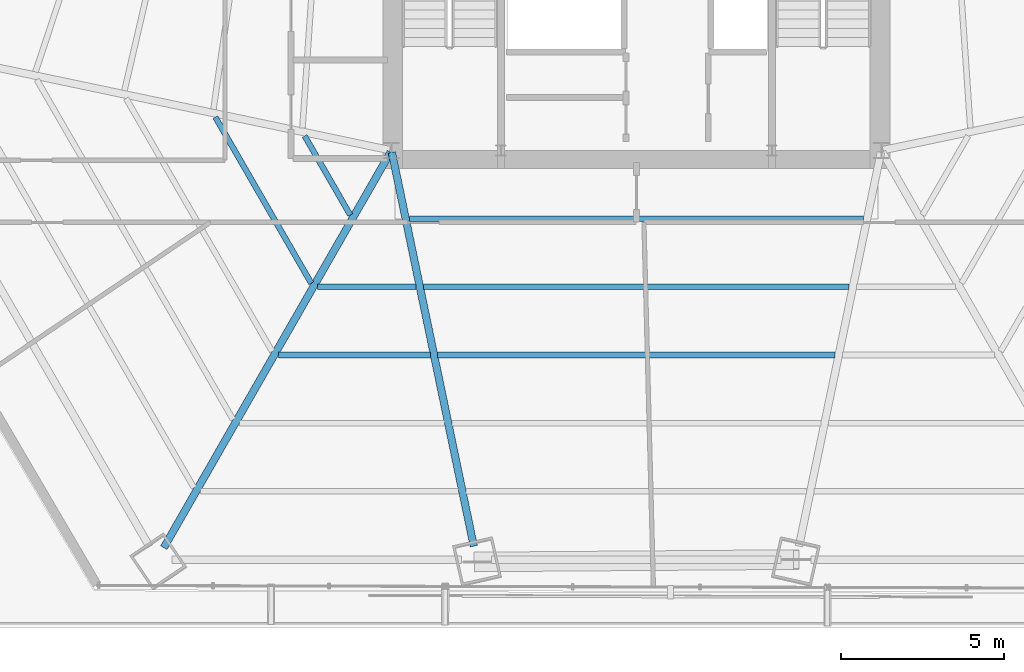
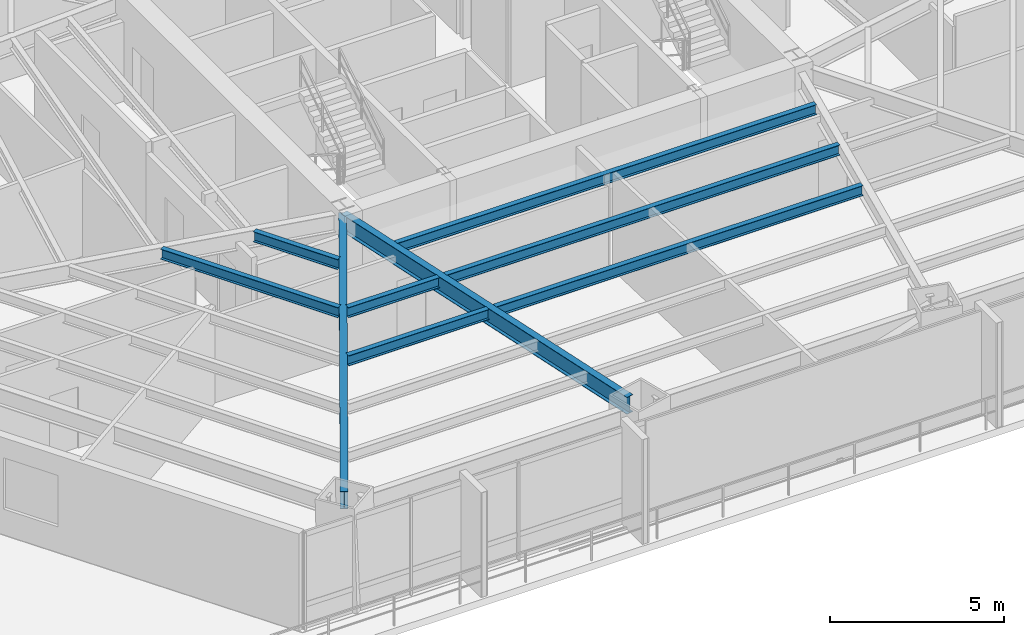
# One storey, part 8 of 35: 9 beams.
"""IFC4 building model written with IfcOpenShell, lengths in metres."""

from ifc_helpers import new_model, si_unit, direction, frame, origin, origin_2d, place, context, subcontext, project, spatial, i_section, extrude, source, transform, mapped, material, material_profile, profile_set, type_object, type_shapes, element, save


model = new_model("IFC4")

# Units and contexts
model_context = context("Model", 3, precision=1e-05, world=origin(), true_north=direction((0.0, 1.0)))
body_context = subcontext(model_context, "Body", "Model", "MODEL_VIEW")
ifc_project = project(units=[si_unit("LENGTHUNIT", "METRE"), si_unit("AREAUNIT", "SQUARE_METRE"), si_unit("VOLUMEUNIT", "CUBIC_METRE"), si_unit("PLANEANGLEUNIT", "RADIAN"), si_unit("MASSUNIT", "GRAM", prefix="KILO")], contexts=[model_context])

# Site, building, storey
site_placement = place(None, origin())
site = spatial("IfcSite", under=ifc_project, at=site_placement, CompositionType="ELEMENT")
building_placement = place(site_placement, origin())
building = spatial("IfcBuilding", under=site, at=building_placement, Name="Caelisora Broadcast Tower", CompositionType="ELEMENT")
storey_placement = place(building_placement, frame((0.0, 0.0, 27.60009765625)))
storey = spatial("IfcBuildingStorey", under=building, at=storey_placement, Name="L06", CompositionType="ELEMENT", Elevation=27.60009765625)

# Beams
ifc_material = material(Name="Steel Grade 350 (AS/NZS 3679.1)", Category="steel")
ifc_material_profile_1 = material_profile(ifc_material, i_section(OverallWidth=0.22802734375, OverallDepth=0.602294921875, WebThickness=0.010498046875, FlangeThickness=0.014892578125, at=origin_2d()), Name="Steel Grade 350 (AS/NZS 3679.1)")
ifc_profile_set_1 = profile_set([ifc_material_profile_1], Name="Steel Grade 350 (AS/NZS 3679.1)")
beam_type_1 = type_object("IfcBeamType", Name="PG04", PredefinedType="BEAM", material=ifc_profile_set_1)
shared_shape_1 = source(origin(), body_context, "Body", "SweptSolid", [
    extrude(i_section(OverallWidth=0.22802734375, OverallDepth=0.602294921875, WebThickness=0.010498046875, FlangeThickness=0.014892578125, at=origin_2d()), origin(), (0.0, 0.0, 1.0), 13.9599609375),
])
beam_1_placement = place(storey_placement, frame((30.47021484375, 17.347900390625, 3.098876953125), z_axis=(-0.497340062779, -0.867555682337, 0.0), x_axis=(0.867555682337, -0.497340062779, 0.0)))
element("IfcBeam", 1, at=beam_1_placement, inside=storey, type_object=beam_type_1, Name="L06 beam PG04", PredefinedType="BEAM", context=body_context, shape_type="MappedRepresentation", body=[
    mapped(shared_shape_1, transform((0.0, 0.0, 0.0), scale=1.0)),
])
shared_shape_2 = source(origin(), body_context, "Body", "SweptSolid", [
    extrude(i_section(OverallWidth=0.22802734375, OverallDepth=0.602294921875, WebThickness=0.010498046875, FlangeThickness=0.014892578125, at=origin_2d()), origin(), (0.0, 0.0, 1.0), 12.31591796875),
])
type_shapes(beam_type_1, [shared_shape_1, shared_shape_2])
beam_2_placement = place(storey_placement, frame((30.51220703125, 17.34130859375, 3.098876953125), z_axis=(0.203681144189, -0.979037277892, 0.0), x_axis=(0.979037277892, 0.203681144189, 0.0)))
element("IfcBeam", 2, at=beam_2_placement, inside=storey, type_object=beam_type_1, Name="L06 beam PG04", PredefinedType="BEAM", context=body_context, shape_type="MappedRepresentation", body=[
    mapped(shared_shape_2, transform((0.0, 0.0, 0.0), scale=1.0)),
])
ifc_material_profile_2 = material_profile(ifc_material, i_section(OverallWidth=0.172119140625, OverallDepth=0.358642578125, WebThickness=0.008056640625, FlangeThickness=0.012939453125, at=origin_2d()), Name="Steel Grade 350 (AS/NZS 3679.1)")
ifc_profile_set_2 = profile_set([ifc_material_profile_2], Name="Steel Grade 350 (AS/NZS 3679.1)")
beam_type_2 = type_object("IfcBeamType", Name="SB02", PredefinedType="JOIST", material=ifc_profile_set_2)
shared_shape_3 = source(origin(), body_context, "Body", "SweptSolid", [
    extrude(i_section(OverallWidth=0.172119140625, OverallDepth=0.358642578125, WebThickness=0.008056640625, FlangeThickness=0.012939453125, at=origin_2d()), origin(), (0.0, 0.0, 1.0), 2.7958984375),
])
beam_3_placement = place(storey_placement, frame((27.8408203125, 17.844970703125, 3.220703125), z_axis=(0.499924029065, -0.866069261182, 0.0), x_axis=(0.866069261182, 0.499924029065, 0.0)))
element("IfcBeam", 3, at=beam_3_placement, inside=storey, type_object=beam_type_2, Name="L06 beam SB02", PredefinedType="JOIST", context=body_context, shape_type="MappedRepresentation", body=[
    mapped(shared_shape_3, transform((0.0, 0.0, 0.0), scale=1.0)),
])
shared_shape_4 = source(origin(), body_context, "Body", "SweptSolid", [
    extrude(i_section(OverallWidth=0.172119140625, OverallDepth=0.358642578125, WebThickness=0.008056640625, FlangeThickness=0.012939453125, at=origin_2d()), origin(), (0.0, 0.0, 1.0), 5.87060546875),
])
beam_4_placement = place(storey_placement, frame((25.1064453125, 18.419921875, 3.220703125), z_axis=(0.499990039386, -0.866031154471, 0.0), x_axis=(0.866031154471, 0.499990039386, 0.0)))
element("IfcBeam", 4, at=beam_4_placement, inside=storey, type_object=beam_type_2, Name="L06 beam SB02", PredefinedType="JOIST", context=body_context, shape_type="MappedRepresentation", body=[
    mapped(shared_shape_4, transform((0.0, 0.0, 0.0), scale=1.0)),
])
shared_shape_5 = source(origin(), body_context, "Body", "SweptSolid", [
    extrude(i_section(OverallWidth=0.172119140625, OverallDepth=0.358642578125, WebThickness=0.008056640625, FlangeThickness=0.012939453125, at=origin_2d()), origin(), (0.0, 0.0, 1.0), 3.020751953125),
])
beam_5_placement = place(storey_placement, frame((28.234619140625, 13.22412109375, 3.220703125), z_axis=(1.0, 0.0, 0.0), x_axis=(0.0, 1.0, 0.0)))
element("IfcBeam", 5, at=beam_5_placement, inside=storey, type_object=beam_type_2, Name="L06 beam SB02", PredefinedType="JOIST", context=body_context, shape_type="MappedRepresentation", body=[
    mapped(shared_shape_5, transform((0.0, 0.0, 0.0), scale=1.0)),
])
shared_shape_6 = source(origin(), body_context, "Body", "SweptSolid", [
    extrude(i_section(OverallWidth=0.172119140625, OverallDepth=0.358642578125, WebThickness=0.008056640625, FlangeThickness=0.012939453125, at=origin_2d()), origin(), (0.0, 0.0, 1.0), 4.652099609375),
])
beam_6_placement = place(storey_placement, frame((27.03759765625, 11.135986328125, 3.220703125), z_axis=(1.0, 0.0, 0.0), x_axis=(0.0, 1.0, 0.0)))
element("IfcBeam", 6, at=beam_6_placement, inside=storey, type_object=beam_type_2, Name="L06 beam SB02", PredefinedType="JOIST", context=body_context, shape_type="MappedRepresentation", body=[
    mapped(shared_shape_6, transform((0.0, 0.0, 0.0), scale=1.0)),
])
shared_shape_7 = source(origin(), body_context, "Body", "SweptSolid", [
    extrude(i_section(OverallWidth=0.172119140625, OverallDepth=0.358642578125, WebThickness=0.008056640625, FlangeThickness=0.012939453125, at=origin_2d()), origin(), (0.0, 0.0, 1.0), 13.904296875),
])
beam_7_placement = place(storey_placement, frame((31.0478515625, 15.31201171875, 3.220703125), z_axis=(1.0, 0.0, 0.0), x_axis=(0.0, 1.0, 0.0)))
element("IfcBeam", 7, at=beam_7_placement, inside=storey, type_object=beam_type_2, Name="L06 beam SB02", PredefinedType="JOIST", context=body_context, shape_type="MappedRepresentation", body=[
    mapped(shared_shape_7, transform((0.0, 0.0, 0.0), scale=1.0)),
])
shared_shape_8 = source(origin(), body_context, "Body", "SweptSolid", [
    extrude(i_section(OverallWidth=0.172119140625, OverallDepth=0.358642578125, WebThickness=0.008056640625, FlangeThickness=0.012939453125, at=origin_2d()), origin(), (0.0, 0.0, 1.0), 13.03564453125),
])
beam_8_placement = place(storey_placement, frame((31.482177734375, 13.22412109375, 3.220703125), z_axis=(1.0, 0.0, 0.0), x_axis=(0.0, 1.0, 0.0)))
element("IfcBeam", 8, at=beam_8_placement, inside=storey, type_object=beam_type_2, Name="L06 beam SB02", PredefinedType="JOIST", context=body_context, shape_type="MappedRepresentation", body=[
    mapped(shared_shape_8, transform((0.0, 0.0, 0.0), scale=1.0)),
])
shared_shape_9 = source(origin(), body_context, "Body", "SweptSolid", [
    extrude(i_section(OverallWidth=0.172119140625, OverallDepth=0.358642578125, WebThickness=0.008056640625, FlangeThickness=0.012939453125, at=origin_2d()), origin(), (0.0, 0.0, 1.0), 12.1669921875),
])
type_shapes(beam_type_2, [shared_shape_3, shared_shape_4, shared_shape_5, shared_shape_6, shared_shape_7, shared_shape_8, shared_shape_9])
beam_9_placement = place(storey_placement, frame((31.91650390625, 11.135986328125, 3.220703125), z_axis=(1.0, 0.0, 0.0), x_axis=(0.0, 1.0, 0.0)))
element("IfcBeam", 9, at=beam_9_placement, inside=storey, type_object=beam_type_2, Name="L06 beam SB02", PredefinedType="JOIST", context=body_context, shape_type="MappedRepresentation", body=[
    mapped(shared_shape_9, transform((0.0, 0.0, 0.0), scale=1.0)),
])

save(model, "model.ifc")
